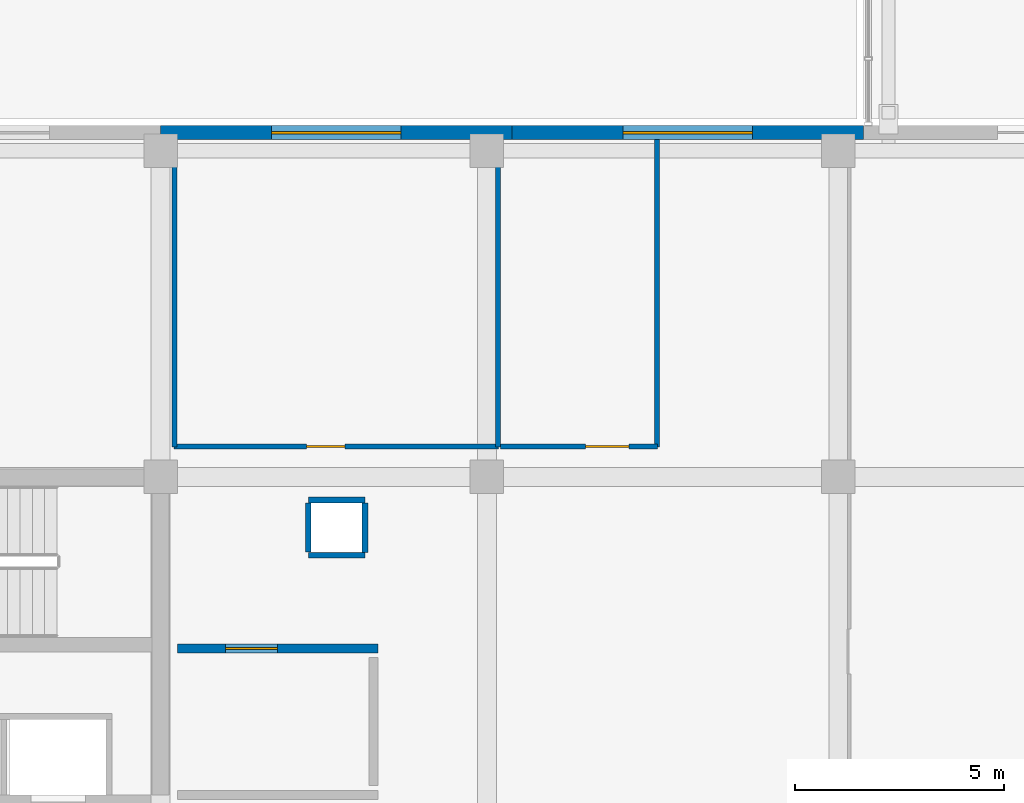
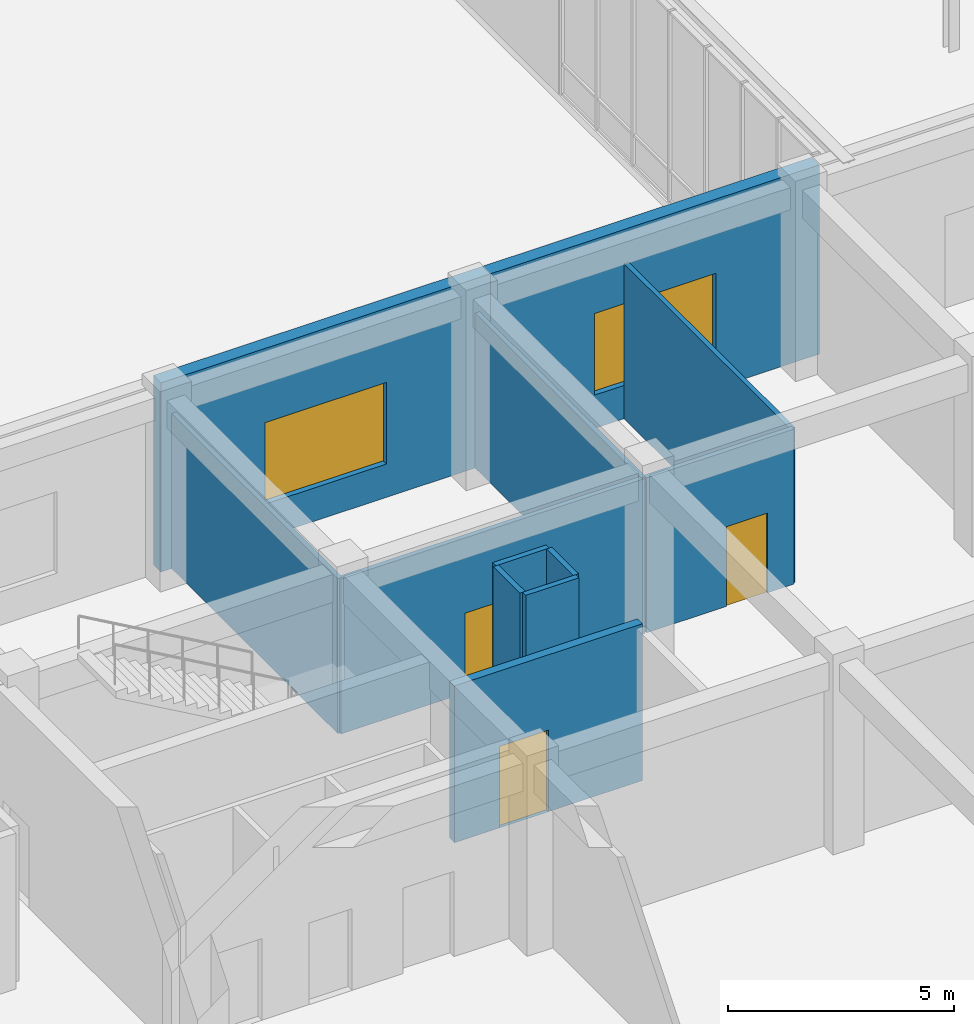
# One storey, part 93 of 122: 12 walls, 3 doors, 2 windows, 5 openings.
"""IFC4 building model written with IfcOpenShell, lengths in metres."""

from ifc_helpers import new_model, si_unit, direction, frame, frame_2d, origin, place, context, subcontext, project, spatial, rectangle, extrude, material, layer, layer_set, type_object, element, fill, save


model = new_model("IFC4")

# Units and contexts
model_context = context("Model", 3, precision=1e-05, world=origin(), true_north=direction((0.0, 1.0)))
body_context = subcontext(model_context, "Body", "Model", "MODEL_VIEW")
ifc_project = project(units=[si_unit("LENGTHUNIT", "METRE"), si_unit("AREAUNIT", "SQUARE_METRE"), si_unit("VOLUMEUNIT", "CUBIC_METRE"), si_unit("PLANEANGLEUNIT", "RADIAN"), si_unit("MASSUNIT", "GRAM", prefix="KILO")], contexts=[model_context])

# Site, building, storey
site_placement = place(None, origin())
site = spatial("IfcSite", under=ifc_project, at=site_placement, CompositionType="ELEMENT")
building_placement = place(site_placement, origin())
building = spatial("IfcBuilding", under=site, at=building_placement, Name="Zayran Congress Hotel", CompositionType="ELEMENT")
storey_placement = place(building_placement, origin())
storey = spatial("IfcBuildingStorey", under=building, at=storey_placement, Name="L00", CompositionType="ELEMENT", Elevation=0.0)

# Wall, opening, window
ifc_material_1 = material(Name="Hajar Ma'ani limestone and insulated concrete C32/40", Category="masonry")
ifc_layer_1 = layer(ifc_material_1, 0.340087890625)
ifc_layer_set_1 = layer_set([ifc_layer_1], Name="Hajar Ma'ani limestone and insulated concrete C32/40")
wall_type_1 = type_object("IfcWallType", Name="WL-EX-340", PredefinedType="SOLIDWALL", material=ifc_layer_set_1)
wall_1_placement = place(storey_placement, frame((58.800048828125, 33.830078125, 0.0), z_axis=(0.0, 0.0, 1.0), x_axis=(1.0, 0.0, 0.0)))
wall_1 = element("IfcWall", 1, at=wall_1_placement, inside=storey, type_object=wall_type_1, Name="EW-V5-N-L00-6", PredefinedType="SOLIDWALL", context=body_context, shape_type="SweptSolid", body=[
    extrude(rectangle(XDim=8.39990234375, YDim=0.340087890625, at=frame_2d((4.199951171875, 0.0))), origin(), (0.0, 0.0, 1.0), 5.10009765625),
])
opening_1_placement = place(wall_1_placement, frame((2.64990234375, 0.0, 0.89990234375)))
opening_1 = element("IfcOpeningElement", 2, at=opening_1_placement, cuts=wall_1, Name="Opening WN-20", PredefinedType="OPENING", context=body_context, shape_type="SweptSolid", body=[
    extrude(rectangle(XDim=3.10009765625, YDim=2.199951171875, at=frame_2d((1.550048828125, 1.10009765625))), frame((0.0, 0.179931640625, 0.0), z_axis=(0.0, -1.0, 0.0), x_axis=(1.0, 0.0, 0.0)), (0.0, 0.0, 1.0), 0.360107421875),
])
ifc_material_2 = material(Name="Anodised aluminium and low-E insulated glass", Category="aluminium")
window_type = type_object("IfcWindowType", Name="TP-WN-20", PartitioningType="TRIPLE_PANEL_VERTICAL", PredefinedType="WINDOW", material=ifc_material_2)
window_1_placement = place(opening_1_placement, origin())
window_1 = element("IfcWindow", 3, at=window_1_placement, inside=storey, type_object=window_type, Name="WIN-V5-L00N-6", OverallHeight=2.199951171875, OverallWidth=3.10009765625, PartitioningType="SINGLE_PANEL", PredefinedType="WINDOW", context=body_context, shape_type="SweptSolid", body=[
    extrude(rectangle(XDim=3.10009765625, YDim=2.199951171875, at=frame_2d((1.550048828125, 1.10009765625))), frame((0.0, 0.030029296875, 0.0), z_axis=(0.0, -1.0, 0.0), x_axis=(1.0, 0.0, 0.0)), (0.0, 0.0, 1.0), 0.06005859375),
])
fill(opening_1, window_1)

wall_2_placement = place(storey_placement, frame((67.199951171875, 33.830078125, 0.0), z_axis=(0.0, 0.0, 1.0), x_axis=(1.0, 0.0, 0.0)))
wall_2 = element("IfcWall", 4, at=wall_2_placement, inside=storey, type_object=wall_type_1, Name="EW-V5-N-L00-7", PredefinedType="SOLIDWALL", context=body_context, shape_type="SweptSolid", body=[
    extrude(rectangle(XDim=8.400146484375, YDim=0.340087890625, at=frame_2d((4.2001953125, 0.0))), origin(), (0.0, 0.0, 1.0), 5.10009765625),
])
opening_2_placement = place(wall_2_placement, frame((2.64990234375, 0.0, 0.89990234375)))
opening_2 = element("IfcOpeningElement", 5, at=opening_2_placement, cuts=wall_2, Name="Opening WN-20", PredefinedType="OPENING", context=body_context, shape_type="SweptSolid", body=[
    extrude(rectangle(XDim=3.10009765625, YDim=2.199951171875, at=frame_2d((1.550048828125, 1.10009765625))), frame((0.0, 0.179931640625, 0.0), z_axis=(0.0, -1.0, 0.0), x_axis=(1.0, 0.0, 0.0)), (0.0, 0.0, 1.0), 0.360107421875),
])
window_2_placement = place(opening_2_placement, origin())
window_2 = element("IfcWindow", 6, at=window_2_placement, inside=storey, type_object=window_type, Name="WIN-V5-L00N-7", OverallHeight=2.199951171875, OverallWidth=3.10009765625, PartitioningType="SINGLE_PANEL", PredefinedType="WINDOW", context=body_context, shape_type="SweptSolid", body=[
    extrude(rectangle(XDim=3.10009765625, YDim=2.199951171875, at=frame_2d((1.550048828125, 1.10009765625))), frame((0.0, 0.030029296875, 0.0), z_axis=(0.0, -1.0, 0.0), x_axis=(1.0, 0.0, 0.0)), (0.0, 0.0, 1.0), 0.06005859375),
])
fill(opening_2, window_2)

# Wall, opening, door
ifc_material_3 = material(Name="Concrete C32/40 fire wall", Category="concrete")
ifc_layer_2 = layer(ifc_material_3, 0.219970703125)
ifc_layer_set_2 = layer_set([ifc_layer_2], Name="Concrete C32/40 fire wall")
wall_type_2 = type_object("IfcWallType", Name="WL-FF-220", PredefinedType="SOLIDWALL", material=ifc_layer_set_2)
wall_3_placement = place(storey_placement, frame((59.199951171875, 21.5, 0.0), z_axis=(0.0, 0.0, 1.0), x_axis=(1.0, 0.0, 0.0)))
wall_3 = element("IfcWall", 7, at=wall_3_placement, inside=storey, type_object=wall_type_2, Name="FFWL-C-V5E-L00-N", PredefinedType="SOLIDWALL", context=body_context, shape_type="SweptSolid", body=[
    extrude(rectangle(XDim=4.800048828125, YDim=0.219970703125, at=frame_2d((2.39990234375, 0.0))), origin(), (0.0, 0.0, 1.0), 4.22998046875),
])
opening_3_placement = place(wall_3_placement, frame((1.14990234375, 0.0, 0.0)))
opening_3 = element("IfcOpeningElement", 8, at=opening_3_placement, cuts=wall_3, Name="Opening DR-FF-60", PredefinedType="OPENING", context=body_context, shape_type="SweptSolid", body=[
    extrude(rectangle(XDim=1.25, YDim=2.199951171875, at=frame_2d((0.625, 1.10009765625))), frame((0.0, 0.119873046875, 0.0), z_axis=(0.0, -1.0, 0.0), x_axis=(1.0, 0.0, 0.0)), (0.0, 0.0, 1.0), 0.239990234375),
])
ifc_material_4 = material(Name="Painted steel smoke-seal fire door", Category="steel")
door_type_1 = type_object("IfcDoorType", Name="TP-DR-FF-60", OperationType="NOTDEFINED", PredefinedType="DOOR", material=ifc_material_4)
door_1_placement = place(opening_3_placement, origin())
door_1 = element("IfcDoor", 9, at=door_1_placement, inside=storey, type_object=door_type_1, Name="Firefighting Lift Lobby Door C-V5E L00", OperationType="SINGLE_SWING_RIGHT", OverallHeight=2.199951171875, OverallWidth=1.25, PredefinedType="DOOR", context=body_context, shape_type="SweptSolid", body=[
    extrude(rectangle(XDim=1.25, YDim=2.199951171875, at=frame_2d((0.625, 1.10009765625))), frame((0.0, 0.02490234375, 0.0), z_axis=(0.0, -1.0, 0.0), x_axis=(1.0, 0.0, 0.0)), (0.0, 0.0, 1.0), 0.050048828125),
])
fill(opening_3, door_1)

# Walls
ifc_material_5 = material(Name="Hospitality guestroom acoustic partition", Category="gypsum")
ifc_layer_3 = layer(ifc_material_5, 0.139892578125)
ifc_layer_set_3 = layer_set([ifc_layer_3], Name="Hospitality guestroom acoustic partition")
wall_type_3 = type_object("IfcWallType", Name="WL-PT-140", PredefinedType="PARTITIONING", material=ifc_layer_set_3)
for number, where, z_axis, x_axis, name in (
    (10, (62.330078125, 23.72998046875, 0.0), (0.0, 0.0, 1.0), (1.0, 0.0, 0.0), "RSWL-V5-L00-025-S"),
    (11, (63.68994140625, 25.050048828125, 0.0), (0.0, 0.0, 1.0), (-1.0, 0.0, 0.0), "RSWL-V5-L00-025-N"),
):
    element("IfcWall", number, at=place(storey_placement, frame(where, z_axis=z_axis, x_axis=x_axis)), inside=storey, type_object=wall_type_3, Name=name, PredefinedType="PARTITIONING", context=body_context, shape_type="SweptSolid", body=[
        extrude(rectangle(XDim=1.35986328125, YDim=0.139892578125, at=frame_2d((0.679931640625, 0.0))), origin(), (0.0, 0.0, 1.0), 4.199951171875),
    ])
for number, where, z_axis, x_axis, name in (
    (12, (62.330078125, 24.97998046875, 0.0), (0.0, 0.0, 1.0), (0.0, -1.0, 0.0), "RSWL-V5-L00-025-W"),
    (13, (63.68994140625, 23.800048828125, 0.0), (0.0, 0.0, 1.0), (0.0, 1.0, 0.0), "RSWL-V5-L00-025-E"),
):
    element("IfcWall", number, at=place(storey_placement, frame(where, z_axis=z_axis, x_axis=x_axis)), inside=storey, type_object=wall_type_3, Name=name, PredefinedType="PARTITIONING", context=body_context, shape_type="SweptSolid", body=[
        extrude(rectangle(XDim=1.179931640625, YDim=0.139892578125, at=frame_2d((0.58984375, 0.0))), origin(), (0.0, 0.0, 1.0), 4.199951171875),
    ])

# Wall, opening, door
ifc_material_6 = material(Name="Moisture-resistant bathroom partition", Category="gypsum")
ifc_layer_4 = layer(ifc_material_6, 0.1201171875)
ifc_layer_set_4 = layer_set([ifc_layer_4], Name="Moisture-resistant bathroom partition")
wall_type_4 = type_object("IfcWallType", Name="WL-PT-120", PredefinedType="PARTITIONING", material=ifc_layer_set_4)
wall_4_placement = place(storey_placement, frame((59.1201171875, 26.330078125, 0.0), z_axis=(0.0, 0.0, 1.0), x_axis=(1.0, 0.0, 0.0)))
wall_4 = element("IfcWall", 14, at=wall_4_placement, inside=storey, type_object=wall_type_4, Name="IW-L00-0345", PredefinedType="PARTITIONING", context=body_context, shape_type="SweptSolid", body=[
    extrude(rectangle(XDim=7.759765625, YDim=0.1201171875, at=frame_2d((3.8798828125, 0.0))), origin(), (0.0, 0.0, 1.0), 4.179931640625),
])
opening_4_placement = place(wall_4_placement, frame((3.1689453125, 0.0, 0.0)))
opening_4 = element("IfcOpeningElement", 15, at=opening_4_placement, cuts=wall_4, Name="Opening DR-WC-01", PredefinedType="OPENING", context=body_context, shape_type="SweptSolid", body=[
    extrude(rectangle(XDim=0.919921875, YDim=2.14990234375, at=frame_2d((0.4599609375, 1.074951171875))), frame((0.0, 0.070068359375, 0.0), z_axis=(0.0, -1.0, 0.0), x_axis=(1.0, 0.0, 0.0)), (0.0, 0.0, 1.0), 0.14013671875),
])
ifc_material_7 = material(Name="Laminated timber public washroom door", Category="wood")
door_type_2 = type_object("IfcDoorType", Name="TP-DR-WC-01", OperationType="NOTDEFINED", PredefinedType="DOOR", material=ifc_material_7)
door_2_placement = place(opening_4_placement, origin())
door_2 = element("IfcDoor", 16, at=door_2_placement, inside=storey, type_object=door_type_2, Name="Public WC L00 Hotel Door", OperationType="SINGLE_SWING_RIGHT", OverallHeight=2.14990234375, OverallWidth=0.919921875, PredefinedType="DOOR", context=body_context, shape_type="SweptSolid", body=[
    extrude(rectangle(XDim=0.919921875, YDim=2.14990234375, at=frame_2d((0.4599609375, 1.074951171875))), frame((0.0, 0.02490234375, 0.0), z_axis=(0.0, -1.0, 0.0), x_axis=(1.0, 0.0, 0.0)), (0.0, 0.0, 1.0), 0.050048828125),
])
fill(opening_4, door_2)

wall_5_placement = place(storey_placement, frame((66.919921875, 26.330078125, 0.0), z_axis=(0.0, 0.0, 1.0), x_axis=(1.0, 0.0, 0.0)))
wall_5 = element("IfcWall", 17, at=wall_5_placement, inside=storey, type_object=wall_type_4, Name="IW-L00-0346", PredefinedType="PARTITIONING", context=body_context, shape_type="SweptSolid", body=[
    extrude(rectangle(XDim=3.760009765625, YDim=0.1201171875, at=frame_2d((1.8798828125, 0.0))), origin(), (0.0, 0.0, 1.0), 4.179931640625),
])
opening_5_placement = place(wall_5_placement, frame((2.0400390625, 0.0, 0.0)))
opening_5 = element("IfcOpeningElement", 18, at=opening_5_placement, cuts=wall_5, Name="Opening DR-WC-02", PredefinedType="OPENING", context=body_context, shape_type="SweptSolid", body=[
    extrude(rectangle(XDim=1.0400390625, YDim=2.14990234375, at=frame_2d((0.52001953125, 1.074951171875))), frame((0.0, 0.070068359375, 0.0), z_axis=(0.0, -1.0, 0.0), x_axis=(1.0, 0.0, 0.0)), (0.0, 0.0, 1.0), 0.14013671875),
])
ifc_material_8 = material(Name="Accessible public washroom door", Category="steel")
door_type_3 = type_object("IfcDoorType", Name="TP-DR-WC-02", OperationType="NOTDEFINED", PredefinedType="DOOR", material=ifc_material_8)
door_3_placement = place(opening_5_placement, origin())
door_3 = element("IfcDoor", 19, at=door_3_placement, inside=storey, type_object=door_type_3, Name="Accessible WC L00 Hotel Door", OperationType="SINGLE_SWING_LEFT", OverallHeight=2.14990234375, OverallWidth=1.0400390625, PredefinedType="DOOR", context=body_context, shape_type="SweptSolid", body=[
    extrude(rectangle(XDim=1.0400390625, YDim=2.14990234375, at=frame_2d((0.52001953125, 1.074951171875))), frame((0.0, 0.02490234375, 0.0), z_axis=(0.0, -1.0, 0.0), x_axis=(1.0, 0.0, 0.0)), (0.0, 0.0, 1.0), 0.050048828125),
])
fill(opening_5, door_3)

# Walls
for number, where, z_axis, x_axis, name in (
    (20, (59.1298828125, 26.320068359375, 0.0), (0.0, 0.0, 1.0), (0.0, 1.0, 0.0), "IW-L00-1554"),
    (21, (66.8701171875, 26.320068359375, 0.0), (0.0, 0.0, 1.0), (0.0, 1.0, 0.0), "IW-L00-1555"),
    (22, (70.669921875, 26.320068359375, 0.0), (0.0, 0.0, 1.0), (0.0, 1.0, 0.0), "IW-L00-1556"),
):
    element("IfcWall", number, at=place(storey_placement, frame(where, z_axis=z_axis, x_axis=x_axis)), inside=storey, type_object=wall_type_4, Name=name, PredefinedType="PARTITIONING", context=body_context, shape_type="SweptSolid", body=[
        extrude(rectangle(XDim=7.33984375, YDim=0.1201171875, at=frame_2d((3.669921875, 0.0))), origin(), (0.0, 0.0, 1.0), 4.179931640625),
    ])

save(model, "model.ifc")
